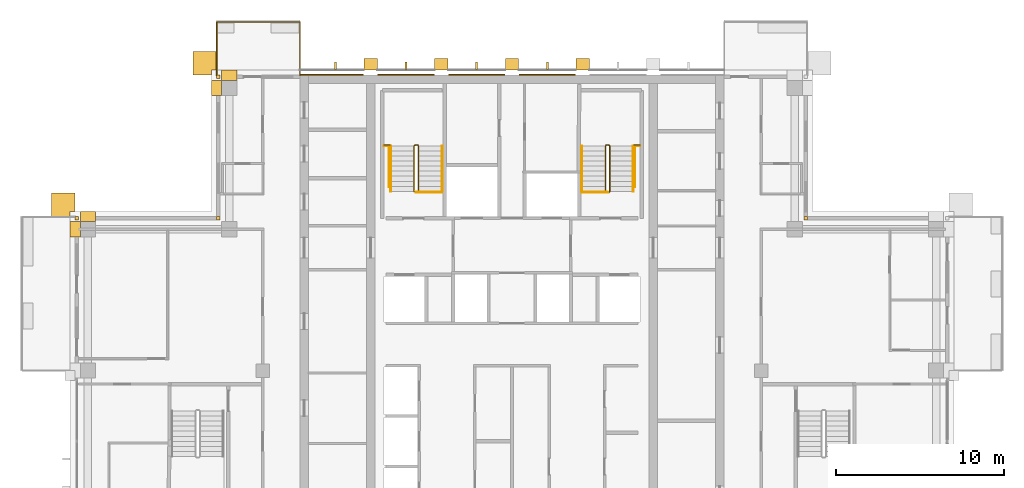
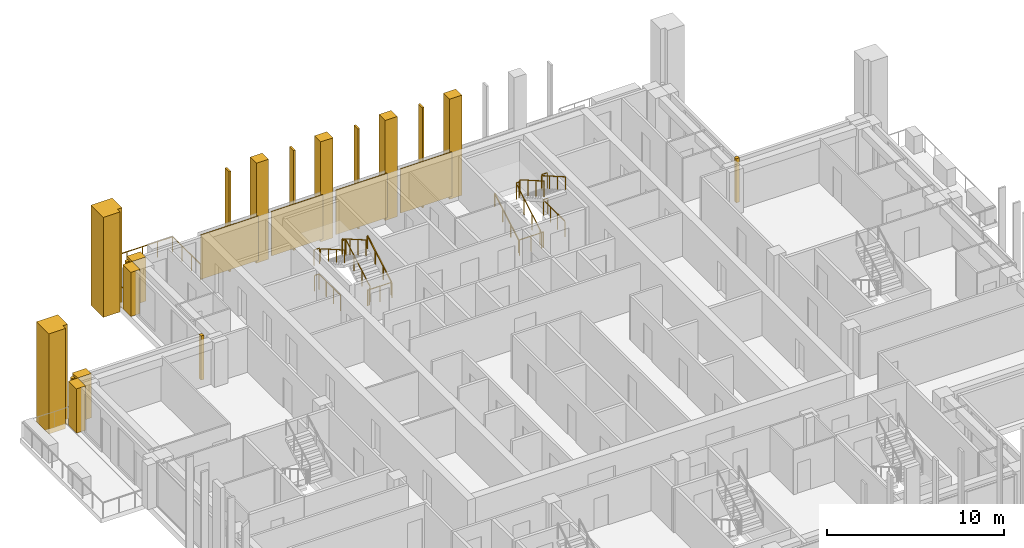
# One storey, part 15 of 16: 22 coverings, 13 railings.
"""IFC4 building model written with IfcOpenShell, lengths in metres."""

from ifc_helpers import new_model, si_unit, direction, frame, origin, origin_2d, place, context, subcontext, project, spatial, polyline, rectangle, outline, extrude, material, layer, layer_set, type_object, element, save


model = new_model("IFC4")

# Units and contexts
model_context = context("Model", 3, precision=1e-05, world=origin(), true_north=direction((0.0, 1.0)))
body_context = subcontext(model_context, "Body", "Model", "MODEL_VIEW")
ifc_project = project(units=[si_unit("LENGTHUNIT", "METRE"), si_unit("AREAUNIT", "SQUARE_METRE"), si_unit("VOLUMEUNIT", "CUBIC_METRE"), si_unit("PLANEANGLEUNIT", "RADIAN"), si_unit("MASSUNIT", "GRAM", prefix="KILO")], contexts=[model_context])

# Site, building, storey
site_placement = place(None, origin())
site = spatial("IfcSite", under=ifc_project, at=site_placement, CompositionType="ELEMENT")
building_placement = place(site_placement, origin())
building = spatial("IfcBuilding", under=site, at=building_placement, Name="Vermilion Ogive Tower", CompositionType="ELEMENT")
storey_placement = place(building_placement, frame((0.0, 0.0, 233.800048828125)))
storey = spatial("IfcBuildingStorey", under=building, at=storey_placement, Name="L61", CompositionType="ELEMENT", Elevation=233.800048828125)

# Railing
ifc_material_1 = material(Name="Stainless steel and glass", Category="steel")
railing_type_1 = type_object("IfcRailingType", Name="Balcony guard", PredefinedType="GUARDRAIL", material=ifc_material_1)
railing_1_placement = place(storey_placement, frame((-12.60009765625, 21.75, -0.0400390625)))
element("IfcRailing", 1, at=railing_1_placement, inside=storey, type_object=railing_type_1, Name="Guard N201", PredefinedType="GUARDRAIL", context=body_context, shape_type="SweptSolid", body=[
    extrude(rectangle(XDim=0.048095703125, YDim=0.048095703125, at=origin_2d()), frame((0.0, 0.0, 1.076171875), z_axis=(0.0, 1.0, 0.0), x_axis=(-1.0, 0.0, 0.0)), (0.0, 0.0, 1.0), 3.159912109375),
    extrude(rectangle(XDim=0.048095703125, YDim=0.048095703125, at=origin_2d()), frame((0.0, 3.159912109375, 1.076171875), z_axis=(-1.0, 0.0, 0.0), x_axis=(0.0, -1.0, 0.0)), (0.0, 0.0, 1.0), 4.949951171875),
    extrude(rectangle(XDim=0.048095703125, YDim=0.048095703125, at=origin_2d()), frame((-4.949951171875, 3.159912109375, 1.076171875), z_axis=(0.0, -1.0, 0.0), x_axis=(1.0, 0.0, 0.0)), (0.0, 0.0, 1.0), 3.159912109375),
    extrude(rectangle(XDim=0.0419921875, YDim=0.0419921875, at=origin_2d()), origin(), (0.0, 0.0, 1.0), 1.052001953125),
    extrude(rectangle(XDim=0.0419921875, YDim=0.0419921875, at=origin_2d()), frame((0.0, 1.05322265625, 0.0)), (0.0, 0.0, 1.0), 1.052001953125),
    extrude(rectangle(XDim=0.0419921875, YDim=0.0419921875, at=origin_2d()), frame((0.0, 2.106689453125, 0.0)), (0.0, 0.0, 1.0), 1.052001953125),
    extrude(rectangle(XDim=0.0419921875, YDim=0.0419921875, at=origin_2d()), frame((0.0, 3.159912109375, 0.0)), (0.0, 0.0, 1.0), 1.052001953125),
    extrude(rectangle(XDim=0.0419921875, YDim=0.0419921875, at=origin_2d()), frame((-0.989990234375, 3.159912109375, 0.0)), (0.0, 0.0, 1.0), 1.052001953125),
    extrude(rectangle(XDim=0.0419921875, YDim=0.0419921875, at=origin_2d()), frame((-1.97998046875, 3.159912109375, 0.0)), (0.0, 0.0, 1.0), 1.052001953125),
    extrude(rectangle(XDim=0.0419921875, YDim=0.0419921875, at=origin_2d()), frame((-2.969970703125, 3.159912109375, 0.0)), (0.0, 0.0, 1.0), 1.052001953125),
    extrude(rectangle(XDim=0.0419921875, YDim=0.0419921875, at=origin_2d()), frame((-3.9599609375, 3.159912109375, 0.0)), (0.0, 0.0, 1.0), 1.052001953125),
    extrude(rectangle(XDim=0.0419921875, YDim=0.0419921875, at=origin_2d()), frame((-4.949951171875, 3.159912109375, 0.0)), (0.0, 0.0, 1.0), 1.052001953125),
    extrude(rectangle(XDim=0.0419921875, YDim=0.0419921875, at=origin_2d()), frame((-4.949951171875, 2.106689453125, 0.0)), (0.0, 0.0, 1.0), 1.052001953125),
    extrude(rectangle(XDim=0.0419921875, YDim=0.0419921875, at=origin_2d()), frame((-4.949951171875, 1.05322265625, 0.0)), (0.0, 0.0, 1.0), 1.052001953125),
    extrude(rectangle(XDim=0.0419921875, YDim=0.0419921875, at=origin_2d()), frame((-4.949951171875, 0.0, 0.0)), (0.0, 0.0, 1.0), 1.052001953125),
])

# Coverings
ifc_material_2 = material(Name="Glazed ceramic screen")
ifc_layer = layer(ifc_material_2, 0.14990234375)
ifc_layer_set = layer_set([ifc_layer], Name="Ceramic solar screen fin")
covering_type_1 = type_object("IfcCoveringType", Name="Ceramic solar screen fin", PredefinedType="CLADDING", material=ifc_layer_set)
covering_1_placement = place(storey_placement, frame((0.0, 0.0, -0.400146484375)))
element("IfcCovering", 2, at=covering_1_placement, inside=storey, type_object=covering_type_1, Name="Solar screen blade N1", PredefinedType="CLADDING", context=body_context, shape_type="SweptSolid", body=[
    extrude(outline(polyline([(-10.56005859375, 22.08203125), (-10.43994140625, 22.08203125), (-10.43994140625, 22.531982421875), (-10.56005859375, 22.531982421875), (-10.56005859375, 22.08203125)])), origin(), (0.0, 0.0, 1.0), 6.900146484375),
])
covering_2_placement = place(storey_placement, frame((0.0, 0.0, -0.400146484375)))
element("IfcCovering", 3, at=covering_2_placement, inside=storey, type_object=covering_type_1, Name="Solar screen blade N2", PredefinedType="CLADDING", context=body_context, shape_type="SweptSolid", body=[
    extrude(outline(polyline([(-6.360107421875, 22.08203125), (-6.239990234375, 22.08203125), (-6.239990234375, 22.531982421875), (-6.360107421875, 22.531982421875), (-6.360107421875, 22.08203125)])), origin(), (0.0, 0.0, 1.0), 6.900146484375),
])
covering_3_placement = place(storey_placement, frame((0.0, 0.0, -0.400146484375)))
element("IfcCovering", 4, at=covering_3_placement, inside=storey, type_object=covering_type_1, Name="Solar screen blade N3", PredefinedType="CLADDING", context=body_context, shape_type="SweptSolid", body=[
    extrude(outline(polyline([(-2.159912109375, 22.08203125), (-2.0400390625, 22.08203125), (-2.0400390625, 22.531982421875), (-2.159912109375, 22.531982421875), (-2.159912109375, 22.08203125)])), origin(), (0.0, 0.0, 1.0), 6.900146484375),
])
covering_4_placement = place(storey_placement, frame((0.0, 0.0, -0.400146484375)))
element("IfcCovering", 5, at=covering_4_placement, inside=storey, type_object=covering_type_1, Name="Solar screen blade N4", PredefinedType="CLADDING", context=body_context, shape_type="SweptSolid", body=[
    extrude(outline(polyline([(2.0400390625, 22.08203125), (2.159912109375, 22.08203125), (2.159912109375, 22.531982421875), (2.0400390625, 22.531982421875), (2.0400390625, 22.08203125)])), origin(), (0.0, 0.0, 1.0), 6.900146484375),
])

# Railings
ifc_material_3 = material(Name="Steel S355 painted", Category="steel")
railing_type_2 = type_object("IfcRailingType", Name="Stair guard 1100", PredefinedType="GUARDRAIL", material=ifc_material_3)
railing_2_placement = place(storey_placement, frame((-5.75, 14.800048828125, 0.0)))
element("IfcRailing", 6, at=railing_2_placement, inside=storey, type_object=railing_type_2, Name="L61 ST1 stair guard 4", PredefinedType="GUARDRAIL", context=body_context, shape_type="SweptSolid", body=[
    extrude(rectangle(XDim=0.048095703125, YDim=0.048095703125, at=origin_2d()), frame((0.0, 0.0, 1.076171875), z_axis=(1.0, 0.0, 0.0), x_axis=(0.0, 1.0, 0.0)), (0.0, 0.0, 1.0), 0.14990234375),
    extrude(rectangle(XDim=0.048095703125, YDim=0.048095703125, at=origin_2d()), frame((0.14990234375, 0.0, 1.076171875), z_axis=(0.268603158521, 0.268603158521, 0.925043072762), x_axis=(-0.707106781187, 0.707106781187, 0.0)), (0.0, 0.0, 1.0), 0.186279296875),
    extrude(rectangle(XDim=0.048095703125, YDim=0.048095703125, at=origin_2d()), frame((0.199951171875, 0.050048828125, 1.24853515625), z_axis=(0.0, 0.866903762492, 0.498475542607), x_axis=(-1.0, 0.0, 0.0)), (0.0, 0.0, 1.0), 3.114501953125),
    extrude(rectangle(XDim=0.048095703125, YDim=0.048095703125, at=origin_2d()), frame((0.199951171875, 2.75, 2.80078125), z_axis=(-0.707106781187, 0.707106781187, 0.0), x_axis=(-0.707106781187, -0.707106781187, 0.0)), (0.0, 0.0, 1.0), 0.07080078125),
    extrude(rectangle(XDim=0.048095703125, YDim=0.048095703125, at=origin_2d()), frame((0.14990234375, 2.800048828125, 2.80078125), z_axis=(-1.0, 0.0, 0.0), x_axis=(0.0, -1.0, 0.0)), (0.0, 0.0, 1.0), 0.14990234375),
    extrude(rectangle(XDim=0.048095703125, YDim=0.048095703125, at=origin_2d()), frame((0.0, 2.800048828125, 2.80078125), z_axis=(-0.268277960024, -0.268277960024, 0.925231793839), x_axis=(0.707106781187, -0.707106781187, 0.0)), (0.0, 0.0, 1.0), 0.1865234375),
    extrude(rectangle(XDim=0.048095703125, YDim=0.048095703125, at=origin_2d()), frame((-0.050048828125, 2.75, 2.9736328125), z_axis=(0.0, -0.866903762492, 0.498475542607), x_axis=(1.0, 0.0, 0.0)), (0.0, 0.0, 1.0), 3.114501953125),
    extrude(rectangle(XDim=0.0419921875, YDim=0.0419921875, at=origin_2d()), origin(), (0.0, 0.0, 1.0), 1.052001953125),
    extrude(rectangle(XDim=0.0419921875, YDim=0.0419921875, at=origin_2d()), frame((0.14990234375, 0.0, 0.0)), (0.0, 0.0, 1.0), 1.052001953125),
    extrude(rectangle(XDim=0.0419921875, YDim=0.0419921875, at=origin_2d()), frame((0.199951171875, 0.050048828125, 0.17236328125)), (0.0, 0.0, 1.0), 1.052001953125),
    extrude(rectangle(XDim=0.0419921875, YDim=0.0419921875, at=origin_2d()), frame((0.199951171875, 0.949951171875, 0.68994140625)), (0.0, 0.0, 1.0), 1.052001953125),
    extrude(rectangle(XDim=0.0419921875, YDim=0.0419921875, at=origin_2d()), frame((0.199951171875, 1.85009765625, 1.207275390625)), (0.0, 0.0, 1.0), 1.052001953125),
    extrude(rectangle(XDim=0.0419921875, YDim=0.0419921875, at=origin_2d()), frame((0.199951171875, 2.75, 1.724853515625)), (0.0, 0.0, 1.0), 1.052001953125),
    extrude(rectangle(XDim=0.0419921875, YDim=0.0419921875, at=origin_2d()), frame((0.14990234375, 2.800048828125, 1.724853515625)), (0.0, 0.0, 1.0), 1.052001953125),
    extrude(rectangle(XDim=0.0419921875, YDim=0.0419921875, at=origin_2d()), frame((0.0, 2.800048828125, 1.724853515625)), (0.0, 0.0, 1.0), 1.052001953125),
    extrude(rectangle(XDim=0.0419921875, YDim=0.0419921875, at=origin_2d()), frame((-0.050048828125, 2.75, 1.8974609375)), (0.0, 0.0, 1.0), 1.052001953125),
    extrude(rectangle(XDim=0.0419921875, YDim=0.0419921875, at=origin_2d()), frame((-0.050048828125, 1.85009765625, 2.4150390625)), (0.0, 0.0, 1.0), 1.052001953125),
    extrude(rectangle(XDim=0.0419921875, YDim=0.0419921875, at=origin_2d()), frame((-0.050048828125, 0.949951171875, 2.932373046875)), (0.0, 0.0, 1.0), 1.052001953125),
    extrude(rectangle(XDim=0.0419921875, YDim=0.0419921875, at=origin_2d()), frame((-0.050048828125, 0.050048828125, 3.449951171875)), (0.0, 0.0, 1.0), 1.052001953125),
])
railing_3_placement = place(storey_placement, frame((5.75, 14.800048828125, 0.0)))
element("IfcRailing", 7, at=railing_3_placement, inside=storey, type_object=railing_type_2, Name="L61 ST2 stair guard 4", PredefinedType="GUARDRAIL", context=body_context, shape_type="SweptSolid", body=[
    extrude(rectangle(XDim=0.048095703125, YDim=0.048095703125, at=origin_2d()), frame((0.0, 0.0, 1.076171875), z_axis=(-1.0, 0.0, 0.0), x_axis=(0.0, -1.0, 0.0)), (0.0, 0.0, 1.0), 0.14990234375),
    extrude(rectangle(XDim=0.048095703125, YDim=0.048095703125, at=origin_2d()), frame((-0.14990234375, 0.0, 1.076171875), z_axis=(-0.268603158521, 0.268603158521, 0.925043072762), x_axis=(-0.707106781187, -0.707106781187, 0.0)), (0.0, 0.0, 1.0), 0.186279296875),
    extrude(rectangle(XDim=0.048095703125, YDim=0.048095703125, at=origin_2d()), frame((-0.199951171875, 0.050048828125, 1.24853515625), z_axis=(0.0, 0.866903762492, 0.498475542607), x_axis=(-1.0, 0.0, 0.0)), (0.0, 0.0, 1.0), 3.114501953125),
    extrude(rectangle(XDim=0.048095703125, YDim=0.048095703125, at=origin_2d()), frame((-0.199951171875, 2.75, 2.80078125), z_axis=(0.707106781187, 0.707106781187, 0.0), x_axis=(-0.707106781187, 0.707106781187, 0.0)), (0.0, 0.0, 1.0), 0.07080078125),
    extrude(rectangle(XDim=0.048095703125, YDim=0.048095703125, at=origin_2d()), frame((-0.14990234375, 2.800048828125, 2.80078125), z_axis=(1.0, 0.0, 0.0), x_axis=(0.0, 1.0, 0.0)), (0.0, 0.0, 1.0), 0.14990234375),
    extrude(rectangle(XDim=0.048095703125, YDim=0.048095703125, at=origin_2d()), frame((0.0, 2.800048828125, 2.80078125), z_axis=(0.268277960024, -0.268277960024, 0.925231793839), x_axis=(0.707106781187, 0.707106781187, 0.0)), (0.0, 0.0, 1.0), 0.1865234375),
    extrude(rectangle(XDim=0.048095703125, YDim=0.048095703125, at=origin_2d()), frame((0.050048828125, 2.75, 2.9736328125), z_axis=(0.0, -0.866903762492, 0.498475542607), x_axis=(1.0, 0.0, 0.0)), (0.0, 0.0, 1.0), 3.114501953125),
    extrude(rectangle(XDim=0.0419921875, YDim=0.0419921875, at=origin_2d()), origin(), (0.0, 0.0, 1.0), 1.052001953125),
    extrude(rectangle(XDim=0.0419921875, YDim=0.0419921875, at=origin_2d()), frame((-0.14990234375, 0.0, 0.0)), (0.0, 0.0, 1.0), 1.052001953125),
    extrude(rectangle(XDim=0.0419921875, YDim=0.0419921875, at=origin_2d()), frame((-0.199951171875, 0.050048828125, 0.17236328125)), (0.0, 0.0, 1.0), 1.052001953125),
    extrude(rectangle(XDim=0.0419921875, YDim=0.0419921875, at=origin_2d()), frame((-0.199951171875, 0.949951171875, 0.68994140625)), (0.0, 0.0, 1.0), 1.052001953125),
    extrude(rectangle(XDim=0.0419921875, YDim=0.0419921875, at=origin_2d()), frame((-0.199951171875, 1.85009765625, 1.207275390625)), (0.0, 0.0, 1.0), 1.052001953125),
    extrude(rectangle(XDim=0.0419921875, YDim=0.0419921875, at=origin_2d()), frame((-0.199951171875, 2.75, 1.724853515625)), (0.0, 0.0, 1.0), 1.052001953125),
    extrude(rectangle(XDim=0.0419921875, YDim=0.0419921875, at=origin_2d()), frame((-0.14990234375, 2.800048828125, 1.724853515625)), (0.0, 0.0, 1.0), 1.052001953125),
    extrude(rectangle(XDim=0.0419921875, YDim=0.0419921875, at=origin_2d()), frame((0.0, 2.800048828125, 1.724853515625)), (0.0, 0.0, 1.0), 1.052001953125),
    extrude(rectangle(XDim=0.0419921875, YDim=0.0419921875, at=origin_2d()), frame((0.050048828125, 2.75, 1.8974609375)), (0.0, 0.0, 1.0), 1.052001953125),
    extrude(rectangle(XDim=0.0419921875, YDim=0.0419921875, at=origin_2d()), frame((0.050048828125, 1.85009765625, 2.4150390625)), (0.0, 0.0, 1.0), 1.052001953125),
    extrude(rectangle(XDim=0.0419921875, YDim=0.0419921875, at=origin_2d()), frame((0.050048828125, 0.949951171875, 2.932373046875)), (0.0, 0.0, 1.0), 1.052001953125),
    extrude(rectangle(XDim=0.0419921875, YDim=0.0419921875, at=origin_2d()), frame((0.050048828125, 0.050048828125, 3.449951171875)), (0.0, 0.0, 1.0), 1.052001953125),
])
for number, where, name in (
    (8, (-7.60009765625, 17.60009765625, 1.724853515625), "L61 landing guard"),
    (9, (7.25, 17.60009765625, 1.724853515625), "L61 landing guard"),
):
    element("IfcRailing", number, at=place(storey_placement, frame(where)), inside=storey, type_object=railing_type_2, Name=name, PredefinedType="GUARDRAIL", context=body_context, shape_type="SweptSolid", body=[
        extrude(rectangle(XDim=0.048095703125, YDim=0.048095703125, at=origin_2d()), frame((0.0, 0.0, 1.076171875), z_axis=(1.0, 0.0, 0.0), x_axis=(0.0, 1.0, 0.0)), (0.0, 0.0, 1.0), 0.35009765625),
        extrude(rectangle(XDim=0.0419921875, YDim=0.0419921875, at=origin_2d()), origin(), (0.0, 0.0, 1.0), 1.052001953125),
        extrude(rectangle(XDim=0.0419921875, YDim=0.0419921875, at=origin_2d()), frame((0.35009765625, 0.0, 0.0)), (0.0, 0.0, 1.0), 1.052001953125),
    ])
railing_4_placement = place(storey_placement, frame((-4.159912109375, 14.7900390625, 0.0)))
element("IfcRailing", 10, at=railing_4_placement, inside=storey, type_object=railing_type_2, Name="L61 stair opening guard", PredefinedType="GUARDRAIL", context=body_context, shape_type="SweptSolid", body=[
    extrude(rectangle(XDim=0.048095703125, YDim=0.048095703125, at=origin_2d()), frame((0.0, 0.0, 1.076171875), z_axis=(-1.0, 0.0, 0.0), x_axis=(0.0, -1.0, 0.0)), (0.0, 0.0, 1.0), 1.5400390625),
    extrude(rectangle(XDim=0.0419921875, YDim=0.0419921875, at=origin_2d()), origin(), (0.0, 0.0, 1.0), 1.052001953125),
    extrude(rectangle(XDim=0.0419921875, YDim=0.0419921875, at=origin_2d()), frame((-0.77001953125, 0.0, 0.0)), (0.0, 0.0, 1.0), 1.052001953125),
    extrude(rectangle(XDim=0.0419921875, YDim=0.0419921875, at=origin_2d()), frame((-1.5400390625, 0.0, 0.0)), (0.0, 0.0, 1.0), 1.052001953125),
])
railing_5_placement = place(storey_placement, frame((-7.3095703125, 15.11865234375, 0.0)))
element("IfcRailing", 11, at=railing_5_placement, inside=storey, type_object=railing_type_2, Name="L61 stair opening guard", PredefinedType="GUARDRAIL", context=body_context, shape_type="SweptSolid", body=[
    extrude(rectangle(XDim=0.048095703125, YDim=0.048095703125, at=origin_2d()), frame((0.0, 0.0, 1.076171875), z_axis=(0.0, 1.0, 0.0), x_axis=(-1.0, 0.0, 0.0)), (0.0, 0.0, 1.0), 2.42431640625),
    extrude(rectangle(XDim=0.048095703125, YDim=0.048095703125, at=origin_2d()), frame((0.0, 2.42431640625, 1.076171875), z_axis=(-1.0, 0.0, 0.0), x_axis=(0.0, -1.0, 0.0)), (0.0, 0.0, 1.0), 0.2900390625),
    extrude(rectangle(XDim=0.0419921875, YDim=0.0419921875, at=origin_2d()), origin(), (0.0, 0.0, 1.0), 1.052001953125),
    extrude(rectangle(XDim=0.0419921875, YDim=0.0419921875, at=origin_2d()), frame((0.0, 0.80810546875, 0.0)), (0.0, 0.0, 1.0), 1.052001953125),
    extrude(rectangle(XDim=0.0419921875, YDim=0.0419921875, at=origin_2d()), frame((0.0, 1.6162109375, 0.0)), (0.0, 0.0, 1.0), 1.052001953125),
    extrude(rectangle(XDim=0.0419921875, YDim=0.0419921875, at=origin_2d()), frame((0.0, 2.42431640625, 0.0)), (0.0, 0.0, 1.0), 1.052001953125),
    extrude(rectangle(XDim=0.0419921875, YDim=0.0419921875, at=origin_2d()), frame((-0.2900390625, 2.42431640625, 0.0)), (0.0, 0.0, 1.0), 1.052001953125),
])
railing_6_placement = place(storey_placement, frame((7.599609375, 17.54296875, 0.0)))
element("IfcRailing", 12, at=railing_6_placement, inside=storey, type_object=railing_type_2, Name="L61 stair opening guard", PredefinedType="GUARDRAIL", context=body_context, shape_type="SweptSolid", body=[
    extrude(rectangle(XDim=0.048095703125, YDim=0.048095703125, at=origin_2d()), frame((0.0, 0.0, 1.076171875), z_axis=(-1.0, 0.0, 0.0), x_axis=(0.0, -1.0, 0.0)), (0.0, 0.0, 1.0), 0.2900390625),
    extrude(rectangle(XDim=0.048095703125, YDim=0.048095703125, at=origin_2d()), frame((-0.2900390625, 0.0, 1.076171875), z_axis=(0.0, -1.0, 0.0), x_axis=(1.0, 0.0, 0.0)), (0.0, 0.0, 1.0), 2.42431640625),
    extrude(rectangle(XDim=0.0419921875, YDim=0.0419921875, at=origin_2d()), origin(), (0.0, 0.0, 1.0), 1.052001953125),
    extrude(rectangle(XDim=0.0419921875, YDim=0.0419921875, at=origin_2d()), frame((-0.2900390625, 0.0, 0.0)), (0.0, 0.0, 1.0), 1.052001953125),
    extrude(rectangle(XDim=0.0419921875, YDim=0.0419921875, at=origin_2d()), frame((-0.2900390625, -0.80810546875, 0.0)), (0.0, 0.0, 1.0), 1.052001953125),
    extrude(rectangle(XDim=0.0419921875, YDim=0.0419921875, at=origin_2d()), frame((-0.2900390625, -1.6162109375, 0.0)), (0.0, 0.0, 1.0), 1.052001953125),
    extrude(rectangle(XDim=0.0419921875, YDim=0.0419921875, at=origin_2d()), frame((-0.2900390625, -2.42431640625, 0.0)), (0.0, 0.0, 1.0), 1.052001953125),
])
railing_7_placement = place(storey_placement, frame((5.699951171875, 14.7900390625, 0.0)))
element("IfcRailing", 13, at=railing_7_placement, inside=storey, type_object=railing_type_2, Name="L61 stair opening guard", PredefinedType="GUARDRAIL", context=body_context, shape_type="SweptSolid", body=[
    extrude(rectangle(XDim=0.048095703125, YDim=0.048095703125, at=origin_2d()), frame((0.0, 0.0, 1.076171875), z_axis=(-1.0, 0.0, 0.0), x_axis=(0.0, -1.0, 0.0)), (0.0, 0.0, 1.0), 1.5400390625),
    extrude(rectangle(XDim=0.0419921875, YDim=0.0419921875, at=origin_2d()), origin(), (0.0, 0.0, 1.0), 1.052001953125),
    extrude(rectangle(XDim=0.0419921875, YDim=0.0419921875, at=origin_2d()), frame((-0.77001953125, 0.0, 0.0)), (0.0, 0.0, 1.0), 1.052001953125),
    extrude(rectangle(XDim=0.0419921875, YDim=0.0419921875, at=origin_2d()), frame((-1.5400390625, 0.0, 0.0)), (0.0, 0.0, 1.0), 1.052001953125),
])
ifc_material_4 = material(Name="Stainless steel", Category="steel")
railing_type_3 = type_object("IfcRailingType", Name="Stair handrail 900", PredefinedType="HANDRAIL", material=ifc_material_4)
railing_8_placement = place(storey_placement, frame((-4.14990234375, 14.85009765625, 0.17236328125)))
element("IfcRailing", 14, at=railing_8_placement, inside=storey, type_object=railing_type_3, Name="L61 ST1 stair handrail 1", PredefinedType="HANDRAIL", context=body_context, shape_type="SweptSolid", body=[
    extrude(rectangle(XDim=0.048095703125, YDim=0.048095703125, at=origin_2d()), frame((0.0, 0.0, 0.8759765625), z_axis=(0.0, 0.866903762492, 0.498475542607), x_axis=(-1.0, 0.0, 0.0)), (0.0, 0.0, 1.0), 3.114501953125),
    extrude(rectangle(XDim=0.0419921875, YDim=0.0419921875, at=origin_2d()), origin(), (0.0, 0.0, 1.0), 0.851806640625),
    extrude(rectangle(XDim=0.0419921875, YDim=0.0419921875, at=origin_2d()), frame((0.0, 0.89990234375, 0.517578125)), (0.0, 0.0, 1.0), 0.851806640625),
    extrude(rectangle(XDim=0.0419921875, YDim=0.0419921875, at=origin_2d()), frame((0.0, 1.800048828125, 1.034912109375)), (0.0, 0.0, 1.0), 0.851806640625),
    extrude(rectangle(XDim=0.0419921875, YDim=0.0419921875, at=origin_2d()), frame((0.0, 2.699951171875, 1.552490234375)), (0.0, 0.0, 1.0), 0.851806640625),
])
railing_9_placement = place(storey_placement, frame((-7.199951171875, 17.550048828125, 1.8974609375)))
element("IfcRailing", 15, at=railing_9_placement, inside=storey, type_object=railing_type_3, Name="L61 ST1 stair handrail 2", PredefinedType="HANDRAIL", context=body_context, shape_type="SweptSolid", body=[
    extrude(rectangle(XDim=0.048095703125, YDim=0.048095703125, at=origin_2d()), frame((0.0, 0.0, 0.8759765625), z_axis=(0.0, -0.866903762492, 0.498475542607), x_axis=(1.0, 0.0, 0.0)), (0.0, 0.0, 1.0), 3.114501953125),
    extrude(rectangle(XDim=0.0419921875, YDim=0.0419921875, at=origin_2d()), origin(), (0.0, 0.0, 1.0), 0.851806640625),
    extrude(rectangle(XDim=0.0419921875, YDim=0.0419921875, at=origin_2d()), frame((0.0, -0.89990234375, 0.517578125)), (0.0, 0.0, 1.0), 0.851806640625),
    extrude(rectangle(XDim=0.0419921875, YDim=0.0419921875, at=origin_2d()), frame((0.0, -1.800048828125, 1.034912109375)), (0.0, 0.0, 1.0), 0.851806640625),
    extrude(rectangle(XDim=0.0419921875, YDim=0.0419921875, at=origin_2d()), frame((0.0, -2.699951171875, 1.552490234375)), (0.0, 0.0, 1.0), 0.851806640625),
])
railing_10_placement = place(storey_placement, frame((4.14990234375, 14.85009765625, 0.17236328125)))
element("IfcRailing", 16, at=railing_10_placement, inside=storey, type_object=railing_type_3, Name="L61 ST2 stair handrail 1", PredefinedType="HANDRAIL", context=body_context, shape_type="SweptSolid", body=[
    extrude(rectangle(XDim=0.048095703125, YDim=0.048095703125, at=origin_2d()), frame((0.0, 0.0, 0.8759765625), z_axis=(0.0, 0.866903762492, 0.498475542607), x_axis=(-1.0, 0.0, 0.0)), (0.0, 0.0, 1.0), 3.114501953125),
    extrude(rectangle(XDim=0.0419921875, YDim=0.0419921875, at=origin_2d()), origin(), (0.0, 0.0, 1.0), 0.851806640625),
    extrude(rectangle(XDim=0.0419921875, YDim=0.0419921875, at=origin_2d()), frame((0.0, 0.89990234375, 0.517578125)), (0.0, 0.0, 1.0), 0.851806640625),
    extrude(rectangle(XDim=0.0419921875, YDim=0.0419921875, at=origin_2d()), frame((0.0, 1.800048828125, 1.034912109375)), (0.0, 0.0, 1.0), 0.851806640625),
    extrude(rectangle(XDim=0.0419921875, YDim=0.0419921875, at=origin_2d()), frame((0.0, 2.699951171875, 1.552490234375)), (0.0, 0.0, 1.0), 0.851806640625),
])
railing_11_placement = place(storey_placement, frame((7.199951171875, 17.550048828125, 1.8974609375)))
element("IfcRailing", 17, at=railing_11_placement, inside=storey, type_object=railing_type_3, Name="L61 ST2 stair handrail 2", PredefinedType="HANDRAIL", context=body_context, shape_type="SweptSolid", body=[
    extrude(rectangle(XDim=0.048095703125, YDim=0.048095703125, at=origin_2d()), frame((0.0, 0.0, 0.8759765625), z_axis=(0.0, -0.866903762492, 0.498475542607), x_axis=(1.0, 0.0, 0.0)), (0.0, 0.0, 1.0), 3.114501953125),
    extrude(rectangle(XDim=0.0419921875, YDim=0.0419921875, at=origin_2d()), origin(), (0.0, 0.0, 1.0), 0.851806640625),
    extrude(rectangle(XDim=0.0419921875, YDim=0.0419921875, at=origin_2d()), frame((0.0, -0.89990234375, 0.517578125)), (0.0, 0.0, 1.0), 0.851806640625),
    extrude(rectangle(XDim=0.0419921875, YDim=0.0419921875, at=origin_2d()), frame((0.0, -1.800048828125, 1.034912109375)), (0.0, 0.0, 1.0), 0.851806640625),
    extrude(rectangle(XDim=0.0419921875, YDim=0.0419921875, at=origin_2d()), frame((0.0, -2.699951171875, 1.552490234375)), (0.0, 0.0, 1.0), 0.851806640625),
])

# Coverings
ifc_material_5 = material(Name="Stone cladding", Category="masonry")
covering_type_2 = type_object("IfcCoveringType", Name="Stone buttress pier", PredefinedType="CLADDING", material=ifc_material_5)
covering_5_placement = place(storey_placement, frame((0.0, 0.0, -0.400146484375)))
element("IfcCovering", 18, at=covering_5_placement, inside=storey, type_object=covering_type_2, Name="Stone buttress pier N1", PredefinedType="CLADDING", context=body_context, shape_type="SweptSolid", body=[
    extrude(outline(polyline([(-8.0, 22.75), (-8.0, 22.050048828125), (-8.800048828125, 22.050048828125), (-8.800048828125, 22.75), (-8.0, 22.75)])), origin(), (0.0, 0.0, 1.0), 6.900146484375),
])
covering_6_placement = place(storey_placement, frame((0.0, 0.0, -0.400146484375)))
element("IfcCovering", 19, at=covering_6_placement, inside=storey, type_object=covering_type_2, Name="Stone buttress pier N2", PredefinedType="CLADDING", context=body_context, shape_type="SweptSolid", body=[
    extrude(outline(polyline([(-3.800048828125, 22.75), (-3.800048828125, 22.050048828125), (-4.60009765625, 22.050048828125), (-4.60009765625, 22.75), (-3.800048828125, 22.75)])), origin(), (0.0, 0.0, 1.0), 6.900146484375),
])
covering_7_placement = place(storey_placement, frame((0.0, 0.0, -0.400146484375)))
element("IfcCovering", 20, at=covering_7_placement, inside=storey, type_object=covering_type_2, Name="Stone buttress pier N3", PredefinedType="CLADDING", context=body_context, shape_type="SweptSolid", body=[
    extrude(outline(polyline([(0.39990234375, 22.75), (0.39990234375, 22.050048828125), (-0.39990234375, 22.050048828125), (-0.39990234375, 22.75), (0.39990234375, 22.75)])), origin(), (0.0, 0.0, 1.0), 6.900146484375),
])
covering_8_placement = place(storey_placement, frame((0.0, 0.0, -0.400146484375)))
element("IfcCovering", 21, at=covering_8_placement, inside=storey, type_object=covering_type_2, Name="Stone buttress pier N4", PredefinedType="CLADDING", context=body_context, shape_type="SweptSolid", body=[
    extrude(outline(polyline([(4.60009765625, 22.75), (4.60009765625, 22.050048828125), (3.800048828125, 22.050048828125), (3.800048828125, 22.75), (4.60009765625, 22.75)])), origin(), (0.0, 0.0, 1.0), 6.900146484375),
])
ifc_material_6 = material(Name="Stone cladding", Category="masonry")
covering_type_3 = type_object("IfcCoveringType", Name="Stone cladding panel", PredefinedType="CLADDING", material=ifc_material_6)
covering_9_placement = place(storey_placement, origin())
element("IfcCovering", 22, at=covering_9_placement, inside=storey, type_object=covering_type_3, Name="Stone cladding panel N1", PredefinedType="CLADDING", context=body_context, shape_type="SweptSolid", body=[
    extrude(outline(polyline([(-12.590087890625, 21.75), (-8.830078125, 21.75), (-8.830078125, 21.81005859375), (-12.590087890625, 21.81005859375), (-12.590087890625, 21.75)])), origin(), (0.0, 0.0, 1.0), 3.050048828125),
])
covering_10_placement = place(storey_placement, origin())
element("IfcCovering", 23, at=covering_10_placement, inside=storey, type_object=covering_type_3, Name="Stone cladding panel N2", PredefinedType="CLADDING", context=body_context, shape_type="SweptSolid", body=[
    extrude(outline(polyline([(-7.969970703125, 21.75), (-4.6298828125, 21.75), (-4.6298828125, 21.81005859375), (-7.969970703125, 21.81005859375), (-7.969970703125, 21.75)])), origin(), (0.0, 0.0, 1.0), 3.050048828125),
])
covering_11_placement = place(storey_placement, origin())
element("IfcCovering", 24, at=covering_11_placement, inside=storey, type_object=covering_type_3, Name="Stone cladding panel N3", PredefinedType="CLADDING", context=body_context, shape_type="SweptSolid", body=[
    extrude(outline(polyline([(-3.77001953125, 21.75), (-0.429931640625, 21.75), (-0.429931640625, 21.81005859375), (-3.77001953125, 21.81005859375), (-3.77001953125, 21.75)])), origin(), (0.0, 0.0, 1.0), 3.050048828125),
])
covering_12_placement = place(storey_placement, origin())
element("IfcCovering", 25, at=covering_12_placement, inside=storey, type_object=covering_type_3, Name="Stone cladding panel N4", PredefinedType="CLADDING", context=body_context, shape_type="SweptSolid", body=[
    extrude(outline(polyline([(0.429931640625, 21.75), (3.77001953125, 21.75), (3.77001953125, 21.81005859375), (0.429931640625, 21.81005859375), (0.429931640625, 21.75)])), origin(), (0.0, 0.0, 1.0), 3.050048828125),
])
ifc_material_7 = material(Name="Stone cladding", Category="masonry")
covering_type_4 = type_object("IfcCoveringType", Name="Stone corner buttress", PredefinedType="CLADDING", material=ifc_material_7)
covering_13_placement = place(storey_placement, frame((0.0, 0.0, -0.400146484375)))
element("IfcCovering", 26, at=covering_13_placement, inside=storey, type_object=covering_type_4, Name="Stone corner buttress X51", PredefinedType="CLADDING", context=body_context, shape_type="SweptSolid", body=[
    extrude(outline(polyline([(-17.550048828125, 23.14990234375), (-17.550048828125, 22.050048828125), (-17.85009765625, 22.050048828125), (-17.85009765625, 21.75), (-18.949951171875, 21.75), (-18.949951171875, 23.14990234375), (-17.550048828125, 23.14990234375)])), origin(), (0.0, 0.0, 1.0), 6.900146484375),
])
covering_14_placement = place(storey_placement, frame((0.0, 0.0, -0.400146484375)))
element("IfcCovering", 27, at=covering_14_placement, inside=storey, type_object=covering_type_4, Name="Stone corner buttress W1", PredefinedType="CLADDING", context=body_context, shape_type="SweptSolid", body=[
    extrude(outline(polyline([(-26.25, 13.64990234375), (-26.25, 13.35009765625), (-27.35009765625, 13.35009765625), (-27.35009765625, 14.75), (-25.949951171875, 14.75), (-25.949951171875, 13.64990234375), (-26.25, 13.64990234375)])), origin(), (0.0, 0.0, 1.0), 6.900146484375),
])
ifc_material_8 = material(Name="Stone cladding", Category="masonry")
covering_type_5 = type_object("IfcCoveringType", Name="Stone pier", PredefinedType="CLADDING", material=ifc_material_8)
covering_15_placement = place(storey_placement, origin())
element("IfcCovering", 28, at=covering_15_placement, inside=storey, type_object=covering_type_5, Name="Stone corner pier X3E1", PredefinedType="CLADDING", context=body_context, shape_type="SweptSolid", body=[
    extrude(outline(polyline([(17.35009765625, 13.14990234375), (17.35009765625, 13.35009765625), (17.550048828125, 13.35009765625), (17.550048828125, 13.14990234375), (17.35009765625, 13.14990234375)])), origin(), (0.0, 0.0, 1.0), 3.050048828125),
])
covering_16_placement = place(storey_placement, origin())
element("IfcCovering", 29, at=covering_16_placement, inside=storey, type_object=covering_type_5, Name="Stone corner pier N2E1", PredefinedType="CLADDING", context=body_context, shape_type="SweptSolid", body=[
    extrude(outline(polyline([(-17.35009765625, 21.550048828125), (-17.550048828125, 21.550048828125), (-17.550048828125, 21.75), (-17.35009765625, 21.75), (-17.35009765625, 21.550048828125)])), origin(), (0.0, 0.0, 1.0), 3.050048828125),
])
covering_17_placement = place(storey_placement, origin())
element("IfcCovering", 30, at=covering_17_placement, inside=storey, type_object=covering_type_5, Name="Stone corner pier X5E1", PredefinedType="CLADDING", context=body_context, shape_type="SweptSolid", body=[
    extrude(outline(polyline([(-17.35009765625, 13.14990234375), (-17.550048828125, 13.14990234375), (-17.550048828125, 13.35009765625), (-17.35009765625, 13.35009765625), (-17.35009765625, 13.14990234375)])), origin(), (0.0, 0.0, 1.0), 3.050048828125),
])
covering_18_placement = place(storey_placement, origin())
element("IfcCovering", 31, at=covering_18_placement, inside=storey, type_object=covering_type_5, Name="Stone corner pier X6E1", PredefinedType="CLADDING", context=body_context, shape_type="SweptSolid", body=[
    extrude(outline(polyline([(-25.75, 13.14990234375), (-25.949951171875, 13.14990234375), (-25.949951171875, 13.35009765625), (-25.75, 13.35009765625), (-25.75, 13.14990234375)])), origin(), (0.0, 0.0, 1.0), 3.050048828125),
])
covering_19_placement = place(storey_placement, origin())
element("IfcCovering", 32, at=covering_19_placement, inside=storey, type_object=covering_type_5, Name="Stone pier P-0168+210N2", PredefinedType="CLADDING", context=body_context, shape_type="SweptSolid", body=[
    extrude(outline(polyline([(-17.25, 21.449951171875), (-17.25, 22.050048828125), (-16.35009765625, 22.050048828125), (-16.35009765625, 21.449951171875), (-17.25, 21.449951171875), (-17.25, 21.449951171875)])), origin(), (0.0, 0.0, 1.0), 3.050048828125),
])
covering_20_placement = place(storey_placement, origin())
element("IfcCovering", 33, at=covering_20_placement, inside=storey, type_object=covering_type_5, Name="Stone pier P-0168+210X5", PredefinedType="CLADDING", context=body_context, shape_type="SweptSolid", body=[
    extrude(outline(polyline([(-17.85009765625, 21.449951171875), (-17.25, 21.449951171875), (-17.25, 21.449951171875), (-17.25, 20.550048828125), (-17.85009765625, 20.550048828125), (-17.85009765625, 21.449951171875)])), origin(), (0.0, 0.0, 1.0), 3.050048828125),
])
covering_21_placement = place(storey_placement, origin())
element("IfcCovering", 34, at=covering_21_placement, inside=storey, type_object=covering_type_5, Name="Stone pier P-0252+126X6", PredefinedType="CLADDING", context=body_context, shape_type="SweptSolid", body=[
    extrude(outline(polyline([(-25.64990234375, 13.050048828125), (-25.64990234375, 13.64990234375), (-24.75, 13.64990234375), (-24.75, 13.050048828125), (-24.75, 13.050048828125), (-25.64990234375, 13.050048828125)])), origin(), (0.0, 0.0, 1.0), 3.050048828125),
])
covering_22_placement = place(storey_placement, origin())
element("IfcCovering", 35, at=covering_22_placement, inside=storey, type_object=covering_type_5, Name="Stone pier P-0252+126W", PredefinedType="CLADDING", context=body_context, shape_type="SweptSolid", body=[
    extrude(outline(polyline([(-26.25, 13.050048828125), (-25.64990234375, 13.050048828125), (-25.64990234375, 12.14990234375), (-26.25, 12.14990234375), (-26.25, 13.050048828125)])), origin(), (0.0, 0.0, 1.0), 3.050048828125),
])

save(model, "model.ifc")
